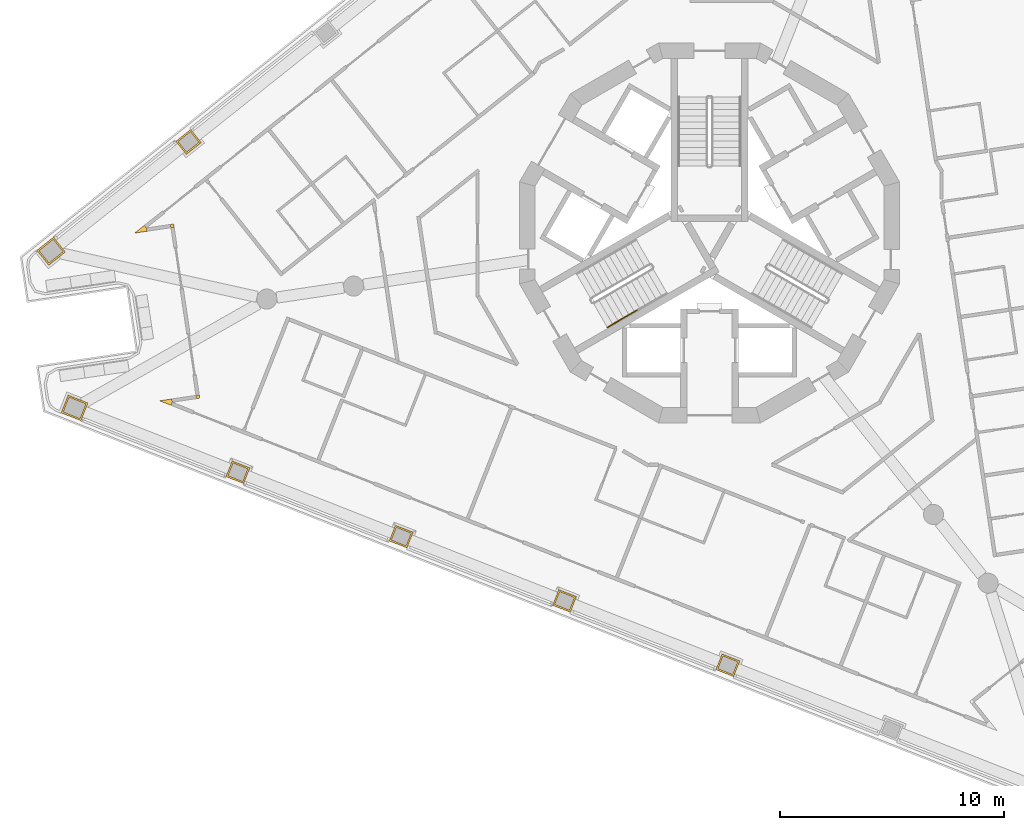
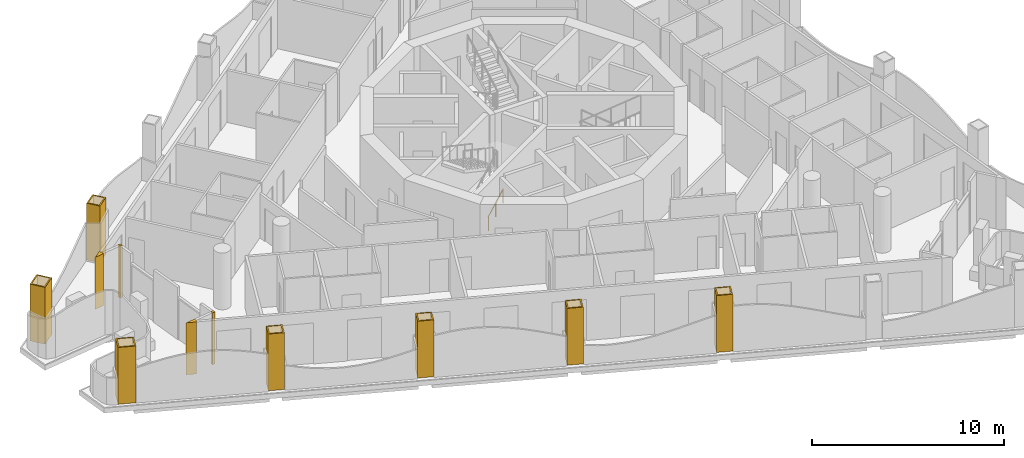
# One storey, part 10 of 16: 11 coverings, 1 railing.
"""IFC4 building model written with IfcOpenShell, lengths in metres."""

from ifc_helpers import new_model, si_unit, direction, frame, origin, origin_2d, place, context, subcontext, project, spatial, polyline, circle, outline, extrude, material, layer, layer_set, type_object, element, save


model = new_model("IFC4")

# Units and contexts
model_context = context("Model", 3, precision=1e-05, world=origin(), true_north=direction((0.0, 1.0)))
body_context = subcontext(model_context, "Body", "Model", "MODEL_VIEW")
ifc_project = project(units=[si_unit("LENGTHUNIT", "METRE"), si_unit("AREAUNIT", "SQUARE_METRE"), si_unit("VOLUMEUNIT", "CUBIC_METRE"), si_unit("PLANEANGLEUNIT", "RADIAN"), si_unit("MASSUNIT", "GRAM", prefix="KILO")], contexts=[model_context])

# Site, building, storey
site_placement = place(None, origin())
site = spatial("IfcSite", under=ifc_project, at=site_placement, CompositionType="ELEMENT")
building_placement = place(site_placement, origin())
building = spatial("IfcBuilding", under=site, at=building_placement, Name="Trine Commons Tower", CompositionType="ELEMENT")
storey_placement = place(building_placement, frame((0.0, 0.0, 223.199951171875)))
storey = spatial("IfcBuildingStorey", under=building, at=storey_placement, Name="L58", CompositionType="ELEMENT", Elevation=223.199951171875)

# Coverings
ifc_material_1 = material(Name="Aluminium-framed insulated wall panel", Category="aluminium")
ifc_layer_1 = layer(ifc_material_1, 0.14990234375)
ifc_layer_set_1 = layer_set([ifc_layer_1], Name="Aluminium-framed insulated wall panel")
covering_type_1 = type_object("IfcCoveringType", Name="Glazing corner post, aluminium", PredefinedType="CLADDING", material=ifc_layer_set_1)
covering_1_placement = place(storey_placement, origin())
element("IfcCovering", 1, at=covering_1_placement, inside=storey, type_object=covering_type_1, Name="Glazing corner post 6-01", PredefinedType="CLADDING", context=body_context, shape_type="SweptSolid", body=[
    extrude(outline(polyline([(54.83642578125, 62.5712890625), (54.814208984375, 62.7197265625), (54.720947265625, 62.837158203125), (54.28271484375, 62.488525390625), (54.83642578125, 62.5712890625)])), origin(), (0.0, 0.0, 1.0), 3.300048828125),
])
covering_2_placement = place(storey_placement, origin())
element("IfcCovering", 2, at=covering_2_placement, inside=storey, type_object=covering_type_1, Name="Glazing corner post 6-10", PredefinedType="CLADDING", context=body_context, shape_type="SweptSolid", body=[
    extrude(outline(polyline([(55.924072265625, 54.78662109375), (55.97900390625, 54.92626953125), (55.956787109375, 55.07470703125), (55.4033203125, 54.991943359375), (55.924072265625, 54.78662109375)])), origin(), (0.0, 0.0, 1.0), 3.300048828125),
])
covering_3_placement = place(storey_placement, origin())
element("IfcCovering", 3, at=covering_3_placement, inside=storey, type_object=covering_type_1, Name="Glazing corner post 6-11", PredefinedType="CLADDING", context=body_context, shape_type="SweptSolid", body=[
    extrude(outline(polyline([(57.030517578125, 55.235107421875), (57.052734375, 55.0869140625), (57.201171875, 55.10888671875), (57.178955078125, 55.25732421875), (57.030517578125, 55.235107421875)])), origin(), (0.0, 0.0, 1.0), 3.300048828125),
])
covering_4_placement = place(storey_placement, origin())
element("IfcCovering", 4, at=covering_4_placement, inside=storey, type_object=covering_type_1, Name="Glazing corner post 6-12", PredefinedType="CLADDING", context=body_context, shape_type="SweptSolid", body=[
    extrude(outline(polyline([(55.91015625, 62.731689453125), (55.91015625, 62.731689453125), (56.05859375, 62.75390625), (56.036376953125, 62.90234375), (55.887939453125, 62.880126953125), (55.91015625, 62.731689453125)])), origin(), (0.0, 0.0, 1.0), 3.300048828125),
])
ifc_material_2 = material(Name="Limestone, honed", Category="masonry")
ifc_layer_2 = layer(ifc_material_2, 0.074951171875)
ifc_layer_set_2 = layer_set([ifc_layer_2], Name="Limestone, honed")
covering_type_2 = type_object("IfcCoveringType", Name="Limestone column cladding 75", PredefinedType="CLADDING", material=ifc_layer_set_2)
covering_5_placement = place(storey_placement, origin())
element("IfcCovering", 5, at=covering_5_placement, inside=storey, type_object=covering_type_2, Name="Limestone pier cladding 6-03", PredefinedType="CLADDING", context=body_context, shape_type="SweptSolid", body=[
    extrude(outline(polyline([(80.562744140625, 43.66796875), (80.287841796875, 42.97021484375), (81.078857421875, 42.658447265625), (81.353759765625, 43.356201171875), (80.562744140625, 43.66796875)]), holes=[polyline([(80.60498046875, 43.570556640625), (80.38525390625, 43.012451171875), (81.03662109375, 42.755859375), (81.25634765625, 43.31396484375), (80.60498046875, 43.570556640625)])]), origin(), (0.0, 0.0, 1.0), 3.60009765625),
])
covering_6_placement = place(storey_placement, origin())
element("IfcCovering", 6, at=covering_6_placement, inside=storey, type_object=covering_type_2, Name="Limestone pier cladding 6-04", PredefinedType="CLADDING", context=body_context, shape_type="SweptSolid", body=[
    extrude(outline(polyline([(73.25830078125, 46.545166015625), (72.9833984375, 45.847412109375), (73.7744140625, 45.535888671875), (74.04931640625, 46.233642578125), (73.25830078125, 46.545166015625)]), holes=[polyline([(73.30078125, 46.447998046875), (73.080810546875, 45.8896484375), (73.732177734375, 45.633056640625), (73.951904296875, 46.19140625), (73.30078125, 46.447998046875)])]), origin(), (0.0, 0.0, 1.0), 3.60009765625),
])
covering_7_placement = place(storey_placement, origin())
element("IfcCovering", 7, at=covering_7_placement, inside=storey, type_object=covering_type_2, Name="Limestone pier cladding 6-05", PredefinedType="CLADDING", context=body_context, shape_type="SweptSolid", body=[
    extrude(outline(polyline([(65.9541015625, 49.42236328125), (65.67919921875, 48.724609375), (66.47021484375, 48.4130859375), (66.7451171875, 49.11083984375), (65.9541015625, 49.42236328125)]), holes=[polyline([(65.996337890625, 49.3251953125), (65.776611328125, 48.766845703125), (66.427734375, 48.51025390625), (66.647705078125, 49.068603515625), (65.996337890625, 49.3251953125)])]), origin(), (0.0, 0.0, 1.0), 3.60009765625),
])
covering_8_placement = place(storey_placement, origin())
element("IfcCovering", 8, at=covering_8_placement, inside=storey, type_object=covering_type_2, Name="Limestone pier cladding 6-06", PredefinedType="CLADDING", context=body_context, shape_type="SweptSolid", body=[
    extrude(outline(polyline([(58.64990234375, 52.2998046875), (58.375, 51.601806640625), (59.165771484375, 51.290283203125), (59.440673828125, 51.988037109375), (58.64990234375, 52.2998046875)]), holes=[polyline([(58.692138671875, 52.202392578125), (58.47216796875, 51.644287109375), (59.12353515625, 51.3876953125), (59.343505859375, 51.94580078125), (58.692138671875, 52.202392578125)])]), origin(), (0.0, 0.0, 1.0), 3.60009765625),
])
covering_9_placement = place(storey_placement, origin())
element("IfcCovering", 9, at=covering_9_placement, inside=storey, type_object=covering_type_2, Name="Limestone pier cladding 6-07", PredefinedType="CLADDING", context=body_context, shape_type="SweptSolid", body=[
    extrude(outline(polyline([(51.317138671875, 55.24169921875), (51.005615234375, 54.450927734375), (51.8896484375, 54.102783203125), (52.201171875, 54.8935546875), (51.317138671875, 55.24169921875)]), holes=[polyline([(51.359619140625, 55.14453125), (51.10302734375, 54.493408203125), (51.847412109375, 54.2001953125), (52.103759765625, 54.851318359375), (51.359619140625, 55.14453125)])]), origin(), (0.0, 0.0, 1.0), 3.60009765625),
])
covering_10_placement = place(storey_placement, origin())
element("IfcCovering", 10, at=covering_10_placement, inside=storey, type_object=covering_type_2, Name="Limestone pier cladding 6-08", PredefinedType="CLADDING", context=body_context, shape_type="SweptSolid", body=[
    extrude(outline(polyline([(51.19189453125, 61.646484375), (50.662841796875, 62.311767578125), (49.919189453125, 61.72021484375), (50.448486328125, 61.05517578125), (51.19189453125, 61.646484375)]), holes=[polyline([(51.08642578125, 61.658447265625), (50.65087890625, 62.206298828125), (50.024658203125, 61.708251953125), (50.46044921875, 61.160400390625), (51.08642578125, 61.658447265625)])]), origin(), (0.0, 0.0, 1.0), 3.60009765625),
])
covering_11_placement = place(storey_placement, origin())
element("IfcCovering", 11, at=covering_11_placement, inside=storey, type_object=covering_type_2, Name="Limestone pier cladding 6-09", PredefinedType="CLADDING", context=body_context, shape_type="SweptSolid", body=[
    extrude(outline(polyline([(57.265625, 66.54150390625), (56.798583984375, 67.12841796875), (56.13330078125, 66.599365234375), (56.600341796875, 66.012451171875), (57.265625, 66.54150390625)]), holes=[polyline([(57.16015625, 66.5537109375), (56.78662109375, 67.023193359375), (56.23876953125, 66.58740234375), (56.6123046875, 66.117919921875), (57.16015625, 66.5537109375)])]), origin(), (0.0, 0.0, 1.0), 3.60009765625),
])

# Railing
ifc_material_3 = material(Name="Stainless steel handrail", Category="steel")
railing_type = type_object("IfcRailingType", Name="Stair handrail, steel 900", PredefinedType="HANDRAIL", material=ifc_material_3)
railing_placement = place(storey_placement, frame((75.43017578125, 58.27392578125, 0.150146484375)))
element("IfcRailing", 12, at=railing_placement, inside=storey, type_object=railing_type, Name="L58 ST2C stair handrail 1", PredefinedType="HANDRAIL", context=body_context, shape_type="SweptSolid", body=[
    extrude(circle(Radius=0.02099609375, at=origin_2d()), frame((0.0, 0.0, 0.87890625), z_axis=(0.76340495495, 0.440743040072, 0.472184759798), x_axis=(-0.499992328818, 0.866029832698, 0.0)), (0.0, 0.0, 1.0), 1.7470703125),
    extrude(circle(Radius=0.01513671875, at=origin_2d()), origin(), (0.0, 0.0, 1.0), 0.85791015625),
    extrude(circle(Radius=0.01513671875, at=origin_2d()), frame((0.6669921875, 0.385009765625, 0.41259765625)), (0.0, 0.0, 1.0), 0.85791015625),
    extrude(circle(Radius=0.01513671875, at=origin_2d()), frame((1.333740234375, 0.77001953125, 0.824951171875)), (0.0, 0.0, 1.0), 0.85791015625),
])

save(model, "model.ifc")
